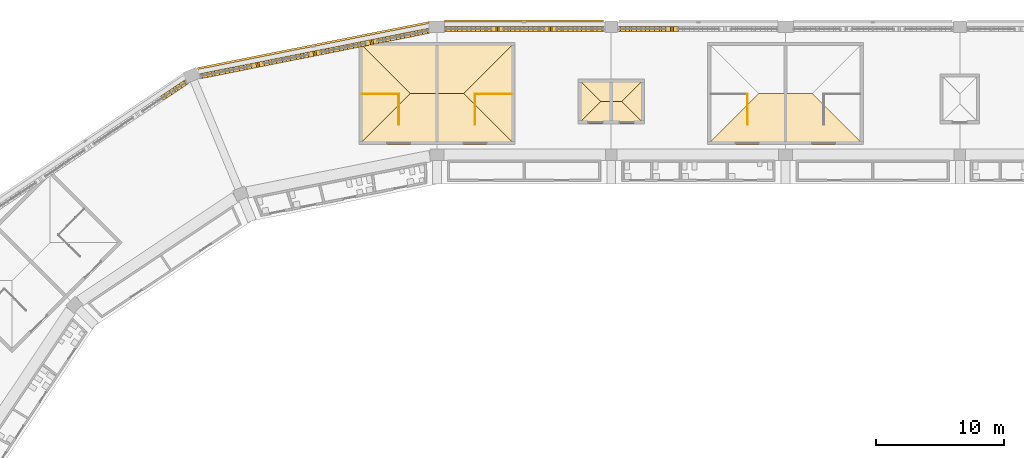
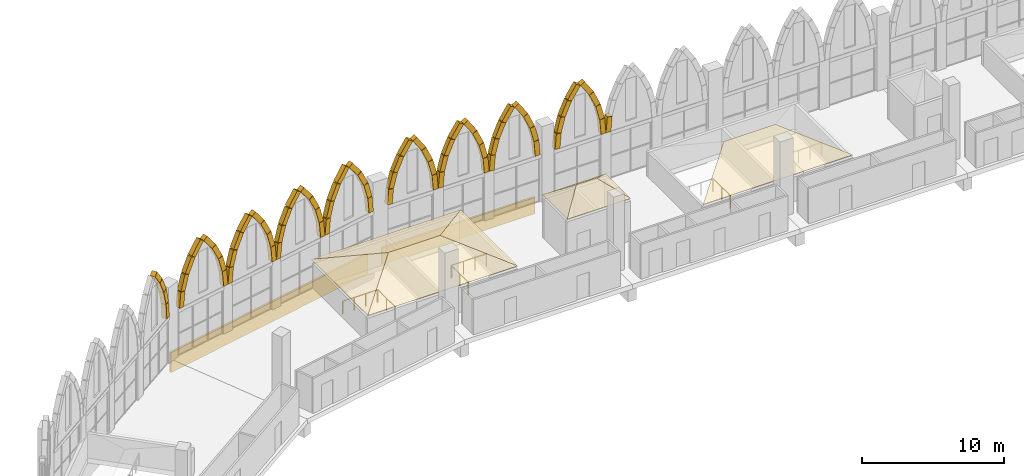
# One storey, part 117 of 130: 80 coverings, 5 railings.
"""IFC4 building model written with IfcOpenShell, lengths in metres."""

from ifc_helpers import new_model, si_unit, direction, frame, origin, origin_2d, place, context, subcontext, project, spatial, polyline, rectangle, circle, outline, extrude, material, layer, layer_set, material_profile, profile_set, type_object, element, save


model = new_model("IFC4")

# Units and contexts
model_context = context("Model", 3, precision=1e-05, world=origin(), true_north=direction((0.0, 1.0)))
body_context = subcontext(model_context, "Body", "Model", "MODEL_VIEW")
ifc_project = project(units=[si_unit("LENGTHUNIT", "METRE"), si_unit("AREAUNIT", "SQUARE_METRE"), si_unit("VOLUMEUNIT", "CUBIC_METRE"), si_unit("PLANEANGLEUNIT", "RADIAN"), si_unit("MASSUNIT", "GRAM", prefix="KILO")], contexts=[model_context])

# Site, building, storey
site_placement = place(None, origin())
site = spatial("IfcSite", under=ifc_project, at=site_placement, CompositionType="ELEMENT")
building_placement = place(site_placement, origin())
building = spatial("IfcBuilding", under=site, at=building_placement, Name="Ogive Plaza Stadium", CompositionType="ELEMENT")
storey_placement = place(building_placement, frame((0.0, 0.0, 22.5)))
storey = spatial("IfcBuildingStorey", under=building, at=storey_placement, Name="L05", CompositionType="ELEMENT", Elevation=22.5)

# Railings
ifc_material_1 = material(Name="Steel ASTM A572 Grade 50", Category="steel")
railing_type = type_object("IfcRailingType", Name="Guard 1100", PredefinedType="GUARDRAIL", material=ifc_material_1)
railing_1_placement = place(storey_placement, frame((-31.02490234375, 94.85009765625, 0.0)))
element("IfcRailing", 1, at=railing_1_placement, inside=storey, type_object=railing_type, Name="Stair well guard ST32A L05", PredefinedType="GUARDRAIL", context=body_context, shape_type="SweptSolid", body=[
    extrude(circle(Radius=0.02392578125, at=origin_2d()), frame((0.0, 0.0, 1.076171875), z_axis=(0.0, 1.0, 0.0), x_axis=(-1.0, 0.0, 0.0)), (0.0, 0.0, 1.0), 2.39990234375),
    extrude(circle(Radius=0.02099609375, at=origin_2d()), origin(), (0.0, 0.0, 1.0), 1.052001953125),
    extrude(circle(Radius=0.02099609375, at=origin_2d()), frame((0.0, 1.199951171875, 0.0)), (0.0, 0.0, 1.0), 1.052001953125),
    extrude(circle(Radius=0.02099609375, at=origin_2d()), frame((0.0, 2.39990234375, 0.0)), (0.0, 0.0, 1.0), 1.052001953125),
])
railing_2_placement = place(storey_placement, frame((-28.175048828125, 97.25, 0.0)))
element("IfcRailing", 2, at=railing_2_placement, inside=storey, type_object=railing_type, Name="Stair guard ST32A L05", PredefinedType="GUARDRAIL", context=body_context, shape_type="SweptSolid", body=[
    extrude(circle(Radius=0.02392578125, at=origin_2d()), frame((0.0, 0.0, 1.076171875), z_axis=(-1.0, 0.0, 0.0), x_axis=(0.0, -1.0, 0.0)), (0.0, 0.0, 1.0), 2.800048828125),
    extrude(circle(Radius=0.02099609375, at=origin_2d()), origin(), (0.0, 0.0, 1.0), 1.052001953125),
    extrude(circle(Radius=0.02099609375, at=origin_2d()), frame((-0.933349609375, 0.0, 0.0)), (0.0, 0.0, 1.0), 1.052001953125),
    extrude(circle(Radius=0.02099609375, at=origin_2d()), frame((-1.86669921875, 0.0, 0.0)), (0.0, 0.0, 1.0), 1.052001953125),
    extrude(circle(Radius=0.02099609375, at=origin_2d()), frame((-2.800048828125, 0.0, 0.0)), (0.0, 0.0, 1.0), 1.052001953125),
])
railing_3_placement = place(storey_placement, frame((-36.97509765625, 94.85009765625, 0.0)))
element("IfcRailing", 3, at=railing_3_placement, inside=storey, type_object=railing_type, Name="Stair well guard ST32B L05", PredefinedType="GUARDRAIL", context=body_context, shape_type="SweptSolid", body=[
    extrude(circle(Radius=0.02392578125, at=origin_2d()), frame((0.0, 0.0, 1.076171875), z_axis=(0.0, 1.0, 0.0), x_axis=(-1.0, 0.0, 0.0)), (0.0, 0.0, 1.0), 2.39990234375),
    extrude(circle(Radius=0.02099609375, at=origin_2d()), origin(), (0.0, 0.0, 1.0), 1.052001953125),
    extrude(circle(Radius=0.02099609375, at=origin_2d()), frame((0.0, 1.199951171875, 0.0)), (0.0, 0.0, 1.0), 1.052001953125),
    extrude(circle(Radius=0.02099609375, at=origin_2d()), frame((0.0, 2.39990234375, 0.0)), (0.0, 0.0, 1.0), 1.052001953125),
])
railing_4_placement = place(storey_placement, frame((-37.02490234375, 97.25, 0.0)))
element("IfcRailing", 4, at=railing_4_placement, inside=storey, type_object=railing_type, Name="Stair guard ST32B L05", PredefinedType="GUARDRAIL", context=body_context, shape_type="SweptSolid", body=[
    extrude(circle(Radius=0.02392578125, at=origin_2d()), frame((0.0, 0.0, 1.076171875), z_axis=(-1.0, 0.0, 0.0), x_axis=(0.0, -1.0, 0.0)), (0.0, 0.0, 1.0), 2.800048828125),
    extrude(circle(Radius=0.02099609375, at=origin_2d()), origin(), (0.0, 0.0, 1.0), 1.052001953125),
    extrude(circle(Radius=0.02099609375, at=origin_2d()), frame((-0.933349609375, 0.0, 0.0)), (0.0, 0.0, 1.0), 1.052001953125),
    extrude(circle(Radius=0.02099609375, at=origin_2d()), frame((-1.86669921875, 0.0, 0.0)), (0.0, 0.0, 1.0), 1.052001953125),
    extrude(circle(Radius=0.02099609375, at=origin_2d()), frame((-2.800048828125, 0.0, 0.0)), (0.0, 0.0, 1.0), 1.052001953125),
])
railing_5_placement = place(storey_placement, frame((-9.77490234375, 94.85009765625, 0.0)))
element("IfcRailing", 5, at=railing_5_placement, inside=storey, type_object=railing_type, Name="Stair well guard ST34B L05", PredefinedType="GUARDRAIL", context=body_context, shape_type="SweptSolid", body=[
    extrude(circle(Radius=0.02392578125, at=origin_2d()), frame((0.0, 0.0, 1.076171875), z_axis=(0.0, 1.0, 0.0), x_axis=(-1.0, 0.0, 0.0)), (0.0, 0.0, 1.0), 2.39990234375),
    extrude(circle(Radius=0.02099609375, at=origin_2d()), origin(), (0.0, 0.0, 1.0), 1.052001953125),
    extrude(circle(Radius=0.02099609375, at=origin_2d()), frame((0.0, 1.199951171875, 0.0)), (0.0, 0.0, 1.0), 1.052001953125),
    extrude(circle(Radius=0.02099609375, at=origin_2d()), frame((0.0, 2.39990234375, 0.0)), (0.0, 0.0, 1.0), 1.052001953125),
])

# Coverings
ifc_material_2 = material(Name="Zinc sheet", Category="metal")
ifc_layer_1 = layer(ifc_material_2, 0.030029296875)
ifc_layer_set_1 = layer_set([ifc_layer_1], Name="Overrun roof zinc 30")
covering_type_1 = type_object("IfcCoveringType", Name="Overrun roof zinc 30", PredefinedType="ROOFING", material=ifc_layer_set_1)
covering_1_placement = place(storey_placement, frame((-17.824951171875, 98.39990234375, 3.6240234375), z_axis=(0.0, 0.596338434259, 0.802733126154), x_axis=(-1.0, 0.0, 0.0)))
element("IfcCovering", 6, at=covering_1_placement, inside=storey, type_object=covering_type_1, Name="Lift overrun roof facet LP33 1", PredefinedType="ROOFING", context=body_context, shape_type="SweptSolid", body=[
    extrude(outline(polyline([(0.0, 0.0), (5.150146484375, 0.0), (3.400146484375, 2.180052053394411), (1.75, 2.180052053394411), (0.0, 0.0)])), origin(), (0.0, 0.0, -1.0), 0.030029296875),
])
covering_2_placement = place(storey_placement, frame((-22.97509765625, 98.39990234375, 3.6240234375), z_axis=(-0.596338434259, 0.0, 0.802733126154), x_axis=(0.0, -1.0, 0.0)))
element("IfcCovering", 7, at=covering_2_placement, inside=storey, type_object=covering_type_1, Name="Lift overrun roof facet LP33 2", PredefinedType="ROOFING", context=body_context, shape_type="SweptSolid", body=[
    extrude(outline(polyline([(0.0, 0.0), (3.5, 0.0), (1.75, 2.1800520533944105), (0.0, 0.0)])), origin(), (0.0, 0.0, -1.0), 0.030029296875),
])
covering_3_placement = place(storey_placement, frame((-22.97509765625, 94.89990234375, 3.6240234375), z_axis=(0.0, -0.596338434259, 0.802733126154), x_axis=(1.0, 0.0, 0.0)))
element("IfcCovering", 8, at=covering_3_placement, inside=storey, type_object=covering_type_1, Name="Lift overrun roof facet LP33 3", PredefinedType="ROOFING", context=body_context, shape_type="SweptSolid", body=[
    extrude(outline(polyline([(0.0, 0.0), (5.150146484375, 0.0), (3.400146484375, 2.180052053394411), (1.75, 2.180052053394411), (0.0, 0.0)])), origin(), (0.0, 0.0, -1.0), 0.030029296875),
])
covering_4_placement = place(storey_placement, frame((-17.824951171875, 94.89990234375, 3.6240234375), z_axis=(0.596338434259, 0.0, 0.802733126154), x_axis=(0.0, 1.0, 0.0)))
element("IfcCovering", 9, at=covering_4_placement, inside=storey, type_object=covering_type_1, Name="Lift overrun roof facet LP33 4", PredefinedType="ROOFING", context=body_context, shape_type="SweptSolid", body=[
    extrude(outline(polyline([(0.0, 0.0), (3.5, 0.0), (1.75, 2.1800520533944105), (0.0, 0.0)])), origin(), (0.0, 0.0, -1.0), 0.030029296875),
])
ifc_material_3 = material(Name="Cast stone (reconstituted limestone)", Category="masonry")
ifc_material_profile = material_profile(ifc_material_3, rectangle(XDim=0.39990234375, YDim=0.39990234375, at=origin_2d()), Name="Cast stone 400x400")
ifc_profile_set = profile_set([ifc_material_profile], Name="Cast stone (reconstituted limestone)")
covering_type_2 = type_object("IfcCoveringType", Name="Precast arch rib 400x400", PredefinedType="MOLDING", material=ifc_profile_set)
for number, where, z_axis, x_axis, name in (
    (10, (-55.31787109375, 96.994384765625, 9.021484375), (0.504943643404, 0.337370569381, -0.794489154049), (-0.555545202762, 0.831486336441, 0.0), "ARCH RIB B30 4.5"),
    (11, (-54.63623046875, 97.44970703125, 7.943603515625), (0.37369155562, 0.249869155246, -0.893263693718), (-0.55584155334, 0.831288257815, 0.0), "ARCH RIB B30 4.6"),
    (12, (-54.132568359375, 97.786376953125, 6.732421875), (0.229492340681, 0.15330384955, -0.961161378376), (-0.555474964851, 0.831533260563, 0.0), "ARCH RIB B30 4.7"),
):
    element("IfcCovering", number, at=place(storey_placement, frame(where, z_axis=z_axis, x_axis=x_axis)), inside=storey, type_object=covering_type_2, Name=name, PredefinedType="MOLDING", context=body_context, shape_type="SweptSolid", body=[
        extrude(rectangle(XDim=0.39990234375, YDim=0.39990234375, at=origin_2d()), origin(), (0.0, 0.0, 1.0), 1.317138671875),
    ])
covering_5_placement = place(storey_placement, frame((-53.824462890625, 97.9921875, 5.429931640625), z_axis=(0.0774868935, 0.051719720781, -0.995650968873), x_axis=(-0.555159300588, 0.831744041741, 0.0)))
element("IfcCovering", 13, at=covering_5_placement, inside=storey, type_object=covering_type_2, Name="ARCH RIB B30 4.8", PredefinedType="MOLDING", context=body_context, shape_type="SweptSolid", body=[
    extrude(rectangle(XDim=0.39990234375, YDim=0.39990234375, at=origin_2d()), origin(), (0.0, 0.0, 1.0), 1.31689453125),
])
covering_6_placement = place(storey_placement, frame((-52.22021484375, 98.671875, 4.118408203125), z_axis=(0.090922604132, 0.017998964492, 0.995695293418), x_axis=(-0.194190789078, 0.98096377988, 0.0)))
element("IfcCovering", 14, at=covering_6_placement, inside=storey, type_object=covering_type_2, Name="ARCH RIB B31 1.1", PredefinedType="MOLDING", context=body_context, shape_type="SweptSolid", body=[
    extrude(rectangle(XDim=0.39990234375, YDim=0.39990234375, at=origin_2d()), origin(), (0.0, 0.0, 1.0), 1.315673828125),
])
covering_7_placement = place(storey_placement, frame((-52.093994140625, 98.697021484375, 5.46484375), z_axis=(0.269299546271, 0.053451598433, 0.961571984307), x_axis=(-0.194685941721, 0.98086562999, 0.0)))
element("IfcCovering", 15, at=covering_7_placement, inside=storey, type_object=covering_type_2, Name="ARCH RIB B31 1.2", PredefinedType="MOLDING", context=body_context, shape_type="SweptSolid", body=[
    extrude(rectangle(XDim=0.39990234375, YDim=0.39990234375, at=origin_2d()), origin(), (0.0, 0.0, 1.0), 1.3154296875),
])
covering_8_placement = place(storey_placement, frame((-51.726806640625, 98.77001953125, 6.764404296875), z_axis=(0.438517907749, 0.087221081948, 0.894480031888), x_axis=(-0.195078374406, 0.980787656855, 0.0)))
element("IfcCovering", 16, at=covering_8_placement, inside=storey, type_object=covering_type_2, Name="ARCH RIB B31 1.3", PredefinedType="MOLDING", context=body_context, shape_type="SweptSolid", body=[
    extrude(rectangle(XDim=0.39990234375, YDim=0.39990234375, at=origin_2d()), origin(), (0.0, 0.0, 1.0), 1.315673828125),
])
for number, where, z_axis, x_axis, name in (
    (17, (-51.130859375, 98.888671875, 7.97265625), (0.592756282244, 0.117846036075, 0.796713437593), (-0.194993994068, 0.980804436306, 0.0), "ARCH RIB B31 1.4"),
    (18, (-50.03857421875, 99.105712890625, 9.020751953125), (0.592622911172, 0.118042020515, -0.796783638478), (-0.195348196874, 0.98073395066, 0.0), "ARCH RIB B31 1.5"),
    (19, (-49.23974609375, 99.2646484375, 7.941162109375), (0.438367998716, 0.087228179253, -0.894552817024), (-0.1951578198, 0.980771851845, 0.0), "ARCH RIB B31 1.6"),
    (20, (-48.64990234375, 99.382080078125, 6.729736328125), (0.269299546271, 0.053451598433, -0.961571984307), (-0.194685941721, 0.98086562999, 0.0), "ARCH RIB B31 1.7"),
):
    element("IfcCovering", number, at=place(storey_placement, frame(where, z_axis=z_axis, x_axis=x_axis)), inside=storey, type_object=covering_type_2, Name=name, PredefinedType="MOLDING", context=body_context, shape_type="SweptSolid", body=[
        extrude(rectangle(XDim=0.39990234375, YDim=0.39990234375, at=origin_2d()), origin(), (0.0, 0.0, 1.0), 1.3154296875),
    ])
for number, where, z_axis, x_axis, name in (
    (21, (-48.2890625, 99.453857421875, 5.428466796875), (0.090738577123, 0.017999267855, -0.99571207534), (-0.194572887676, 0.980888062615, 0.0), "ARCH RIB B31 1.8"),
    (22, (-47.775634765625, 99.555908203125, 4.118408203125), (0.090738577123, 0.017999267855, 0.99571207534), (-0.194572887676, 0.980888062615, 0.0), "ARCH RIB B31 2.1"),
):
    element("IfcCovering", number, at=place(storey_placement, frame(where, z_axis=z_axis, x_axis=x_axis)), inside=storey, type_object=covering_type_2, Name=name, PredefinedType="MOLDING", context=body_context, shape_type="SweptSolid", body=[
        extrude(rectangle(XDim=0.39990234375, YDim=0.39990234375, at=origin_2d()), origin(), (0.0, 0.0, 1.0), 1.315673828125),
    ])
covering_9_placement = place(storey_placement, frame((-47.6494140625, 99.5810546875, 5.46484375), z_axis=(0.269127397366, 0.05345426927, 0.961620031553), x_axis=(-0.194815113783, 0.980839982587, 0.0)))
element("IfcCovering", 23, at=covering_9_placement, inside=storey, type_object=covering_type_2, Name="ARCH RIB B31 2.2", PredefinedType="MOLDING", context=body_context, shape_type="SweptSolid", body=[
    extrude(rectangle(XDim=0.39990234375, YDim=0.39990234375, at=origin_2d()), origin(), (0.0, 0.0, 1.0), 1.3154296875),
])
covering_10_placement = place(storey_placement, frame((-47.2822265625, 99.654052734375, 6.764404296875), z_axis=(0.438517907749, 0.087221081948, 0.894480031888), x_axis=(-0.195078374406, 0.980787656855, 0.0)))
element("IfcCovering", 24, at=covering_10_placement, inside=storey, type_object=covering_type_2, Name="ARCH RIB B31 2.3", PredefinedType="MOLDING", context=body_context, shape_type="SweptSolid", body=[
    extrude(rectangle(XDim=0.39990234375, YDim=0.39990234375, at=origin_2d()), origin(), (0.0, 0.0, 1.0), 1.315673828125),
])
for number, where, z_axis, x_axis, name in (
    (25, (-46.686279296875, 99.772705078125, 7.97265625), (0.592635884975, 0.117858999987, 0.796801081803), (-0.195052740217, 0.980792755139, 0.0), "ARCH RIB B31 2.4"),
    (26, (-45.593994140625, 99.989990234375, 9.020751953125), (0.592635884975, 0.117858999987, -0.796801081803), (-0.195052740217, 0.980792755139, 0.0), "ARCH RIB B31 2.5"),
    (27, (-44.795166015625, 100.148681640625, 7.941162109375), (0.438367998716, 0.087228179253, -0.894552817024), (-0.1951578198, 0.980771851845, 0.0), "ARCH RIB B31 2.6"),
    (28, (-44.205322265625, 100.26611328125, 6.729736328125), (0.269296870115, 0.053636661243, -0.961562428715), (-0.195336184167, 0.980736343344, 0.0), "ARCH RIB B31 2.7"),
):
    element("IfcCovering", number, at=place(storey_placement, frame(where, z_axis=z_axis, x_axis=x_axis)), inside=storey, type_object=covering_type_2, Name=name, PredefinedType="MOLDING", context=body_context, shape_type="SweptSolid", body=[
        extrude(rectangle(XDim=0.39990234375, YDim=0.39990234375, at=origin_2d()), origin(), (0.0, 0.0, 1.0), 1.3154296875),
    ])
for number, where, z_axis, x_axis, name in (
    (29, (-43.844482421875, 100.337890625, 5.428466796875), (0.090738577123, 0.017999267855, -0.99571207534), (-0.194572887676, 0.980888062615, 0.0), "ARCH RIB B31 2.8"),
    (30, (-43.3310546875, 100.43994140625, 4.118408203125), (0.090738272501, 0.018184766268, 0.995708732602), (-0.196501719896, 0.980503479891, 0.0), "ARCH RIB B31 3.1"),
):
    element("IfcCovering", number, at=place(storey_placement, frame(where, z_axis=z_axis, x_axis=x_axis)), inside=storey, type_object=covering_type_2, Name=name, PredefinedType="MOLDING", context=body_context, shape_type="SweptSolid", body=[
        extrude(rectangle(XDim=0.39990234375, YDim=0.39990234375, at=origin_2d()), origin(), (0.0, 0.0, 1.0), 1.315673828125),
    ])
for number, where, z_axis, x_axis, name in (
    (31, (-43.205078125, 100.465087890625, 5.46484375), (0.269296870115, 0.053636661243, 0.961562428715), (-0.195336184167, 0.980736343344, 0.0), "ARCH RIB B31 3.2"),
    (32, (-42.837646484375, 100.5380859375, 6.764404296875), (0.438367998716, 0.087228179253, 0.894552817024), (-0.1951578198, 0.980771851845, 0.0), "ARCH RIB B31 3.3"),
    (33, (-42.24169921875, 100.65673828125, 7.97265625), (0.592635884975, 0.117858999987, 0.796801081803), (-0.195052740217, 0.980792755139, 0.0), "ARCH RIB B31 3.4"),
    (34, (-41.1494140625, 100.8740234375, 9.020751953125), (0.592635884975, 0.117858999987, -0.796801081803), (-0.195052740217, 0.980792755139, 0.0), "ARCH RIB B31 3.5"),
):
    element("IfcCovering", number, at=place(storey_placement, frame(where, z_axis=z_axis, x_axis=x_axis)), inside=storey, type_object=covering_type_2, Name=name, PredefinedType="MOLDING", context=body_context, shape_type="SweptSolid", body=[
        extrude(rectangle(XDim=0.39990234375, YDim=0.39990234375, at=origin_2d()), origin(), (0.0, 0.0, 1.0), 1.3154296875),
    ])
covering_11_placement = place(storey_placement, frame((-40.350830078125, 101.032958984375, 7.941162109375), z_axis=(0.438524998312, 0.087036912488, -0.894494495075), x_axis=(-0.194679060931, 0.980866995691, 0.0)))
element("IfcCovering", 35, at=covering_11_placement, inside=storey, type_object=covering_type_2, Name="ARCH RIB B31 3.6", PredefinedType="MOLDING", context=body_context, shape_type="SweptSolid", body=[
    extrude(rectangle(XDim=0.39990234375, YDim=0.39990234375, at=origin_2d()), origin(), (0.0, 0.0, 1.0), 1.315673828125),
])
covering_12_placement = place(storey_placement, frame((-39.7607421875, 101.150146484375, 6.729736328125), z_axis=(0.269124722653, 0.053639341274, -0.961610474529), x_axis=(-0.19546575346, 0.980710527742, 0.0)))
element("IfcCovering", 36, at=covering_12_placement, inside=storey, type_object=covering_type_2, Name="ARCH RIB B31 3.7", PredefinedType="MOLDING", context=body_context, shape_type="SweptSolid", body=[
    extrude(rectangle(XDim=0.39990234375, YDim=0.39990234375, at=origin_2d()), origin(), (0.0, 0.0, 1.0), 1.3154296875),
])
for number, where, z_axis, x_axis, name in (
    (37, (-39.39990234375, 101.221923828125, 5.428466796875), (0.090738577123, 0.017999267855, -0.99571207534), (-0.194572887676, 0.980888062615, 0.0), "ARCH RIB B31 3.8"),
    (38, (-38.886474609375, 101.323974609375, 4.118408203125), (0.090738272501, 0.018184766268, 0.995708732602), (-0.196501719896, 0.980503479891, 0.0), "ARCH RIB B31 4.1"),
):
    element("IfcCovering", number, at=place(storey_placement, frame(where, z_axis=z_axis, x_axis=x_axis)), inside=storey, type_object=covering_type_2, Name=name, PredefinedType="MOLDING", context=body_context, shape_type="SweptSolid", body=[
        extrude(rectangle(XDim=0.39990234375, YDim=0.39990234375, at=origin_2d()), origin(), (0.0, 0.0, 1.0), 1.315673828125),
    ])
for number, where, z_axis, x_axis, name in (
    (39, (-38.760498046875, 101.34912109375, 5.46484375), (0.269296870115, 0.053636661243, 0.961562428715), (-0.195336184167, 0.980736343344, 0.0), "ARCH RIB B31 4.2"),
    (40, (-38.39306640625, 101.422119140625, 6.764404296875), (0.438367998716, 0.087228179253, 0.894552817024), (-0.1951578198, 0.980771851845, 0.0), "ARCH RIB B31 4.3"),
    (41, (-37.797119140625, 101.540771484375, 7.97265625), (0.592635884975, 0.117858999987, 0.796801081803), (-0.195052740217, 0.980792755139, 0.0), "ARCH RIB B31 4.4"),
    (42, (-36.705078125, 101.758056640625, 9.020751953125), (0.592756282244, 0.117846036075, -0.796713437593), (-0.194993994068, 0.980804436306, 0.0), "ARCH RIB B31 4.5"),
):
    element("IfcCovering", number, at=place(storey_placement, frame(where, z_axis=z_axis, x_axis=x_axis)), inside=storey, type_object=covering_type_2, Name=name, PredefinedType="MOLDING", context=body_context, shape_type="SweptSolid", body=[
        extrude(rectangle(XDim=0.39990234375, YDim=0.39990234375, at=origin_2d()), origin(), (0.0, 0.0, 1.0), 1.3154296875),
    ])
covering_13_placement = place(storey_placement, frame((-35.90625, 101.9169921875, 7.941162109375), z_axis=(0.438517907749, 0.087221081948, -0.894480031888), x_axis=(-0.195078374406, 0.980787656855, 0.0)))
element("IfcCovering", 43, at=covering_13_placement, inside=storey, type_object=covering_type_2, Name="ARCH RIB B31 4.6", PredefinedType="MOLDING", context=body_context, shape_type="SweptSolid", body=[
    extrude(rectangle(XDim=0.39990234375, YDim=0.39990234375, at=origin_2d()), origin(), (0.0, 0.0, 1.0), 1.315673828125),
])
covering_14_placement = place(storey_placement, frame((-35.316162109375, 102.0341796875, 6.729736328125), z_axis=(0.269124722653, 0.053639341274, -0.961610474529), x_axis=(-0.19546575346, 0.980710527742, 0.0)))
element("IfcCovering", 44, at=covering_14_placement, inside=storey, type_object=covering_type_2, Name="ARCH RIB B31 4.7", PredefinedType="MOLDING", context=body_context, shape_type="SweptSolid", body=[
    extrude(rectangle(XDim=0.39990234375, YDim=0.39990234375, at=origin_2d()), origin(), (0.0, 0.0, 1.0), 1.3154296875),
])
covering_15_placement = place(storey_placement, frame((-34.955322265625, 102.10595703125, 5.428466796875), z_axis=(0.090738272501, 0.018184766268, -0.995708732602), x_axis=(-0.196501719896, 0.980503479891, 0.0)))
element("IfcCovering", 45, at=covering_15_placement, inside=storey, type_object=covering_type_2, Name="ARCH RIB B31 4.8", PredefinedType="MOLDING", context=body_context, shape_type="SweptSolid", body=[
    extrude(rectangle(XDim=0.39990234375, YDim=0.39990234375, at=origin_2d()), origin(), (0.0, 0.0, 1.0), 1.315673828125),
])
covering_16_placement = place(storey_placement, frame((-33.19921875, 102.300048828125, 4.11669921875), z_axis=(0.083467432906, 0.0, 0.996510505536), x_axis=(0.0, 1.0, 0.0)))
element("IfcCovering", 46, at=covering_16_placement, inside=storey, type_object=covering_type_2, Name="ARCH RIB B32 1.1", PredefinedType="MOLDING", context=body_context, shape_type="SweptSolid", body=[
    extrude(rectangle(XDim=0.39990234375, YDim=0.39990234375, at=origin_2d()), origin(), (0.0, 0.0, 1.0), 1.292724609375),
])
for number, where, z_axis, x_axis, name in (
    (47, (-33.0859375, 102.300048828125, 5.437744140625), (0.248130007434, 0.0, 0.968726741352), (0.0, 1.0, 0.0), "ARCH RIB B32 1.2"),
    (48, (-32.75439453125, 102.300048828125, 6.7216796875), (0.405805545127, 0.0, 0.913959440864), (0.0, 1.0, 0.0), "ARCH RIB B32 1.3"),
):
    element("IfcCovering", number, at=place(storey_placement, frame(where, z_axis=z_axis, x_axis=x_axis)), inside=storey, type_object=covering_type_2, Name=name, PredefinedType="MOLDING", context=body_context, shape_type="SweptSolid", body=[
        extrude(rectangle(XDim=0.39990234375, YDim=0.39990234375, at=origin_2d()), origin(), (0.0, 0.0, 1.0), 1.29296875),
    ])
for number, where, z_axis, x_axis, name in (
    (49, (-32.2138671875, 102.300048828125, 7.9326171875), (0.55217007731, 0.0, 0.833731494981), (0.0, 1.0, 0.0), "ARCH RIB B32 1.4"),
    (50, (-31.16650390625, 102.300048828125, 9.010498046875), (0.552038792089, 0.0, -0.833818428694), (0.0, 1.0, 0.0), "ARCH RIB B32 1.5"),
    (51, (-30.436767578125, 102.300048828125, 7.9033203125), (0.405647789331, 0.0, -0.914029469443), (0.0, 1.0, 0.0), "ARCH RIB B32 1.6"),
    (52, (-29.9013671875, 102.300048828125, 6.690185546875), (0.247952785685, 0.0, -0.96877211772), (0.0, 1.0, 0.0), "ARCH RIB B32 1.7"),
    (53, (-29.5751953125, 102.300048828125, 5.405029296875), (0.083467432906, 0.0, -0.996510505536), (0.0, 1.0, 0.0), "ARCH RIB B32 1.8"),
    (54, (-29.06591796875, 102.300048828125, 4.11669921875), (0.083467432906, 0.0, 0.996510505536), (0.0, 1.0, 0.0), "ARCH RIB B32 2.1"),
):
    element("IfcCovering", number, at=place(storey_placement, frame(where, z_axis=z_axis, x_axis=x_axis)), inside=storey, type_object=covering_type_2, Name=name, PredefinedType="MOLDING", context=body_context, shape_type="SweptSolid", body=[
        extrude(rectangle(XDim=0.39990234375, YDim=0.39990234375, at=origin_2d()), origin(), (0.0, 0.0, 1.0), 1.292724609375),
    ])
covering_17_placement = place(storey_placement, frame((-28.95263671875, 102.300048828125, 5.437744140625), z_axis=(0.248130007434, 0.0, 0.968726741352), x_axis=(0.0, 1.0, 0.0)))
element("IfcCovering", 55, at=covering_17_placement, inside=storey, type_object=covering_type_2, Name="ARCH RIB B32 2.2", PredefinedType="MOLDING", context=body_context, shape_type="SweptSolid", body=[
    extrude(rectangle(XDim=0.39990234375, YDim=0.39990234375, at=origin_2d()), origin(), (0.0, 0.0, 1.0), 1.29296875),
])
for number, where, z_axis, x_axis, name in (
    (56, (-28.620849609375, 102.300048828125, 6.7216796875), (0.405647789331, 0.0, 0.914029469443), (0.0, 1.0, 0.0), "ARCH RIB B32 2.3"),
    (57, (-28.080322265625, 102.300048828125, 7.9326171875), (0.552038792089, 0.0, 0.833818428694), (0.0, 1.0, 0.0), "ARCH RIB B32 2.4"),
    (58, (-27.033203125, 102.300048828125, 9.010498046875), (0.552038792089, 0.0, -0.833818428694), (0.0, 1.0, 0.0), "ARCH RIB B32 2.5"),
    (59, (-26.303466796875, 102.300048828125, 7.9033203125), (0.405647789331, 0.0, -0.914029469443), (0.0, 1.0, 0.0), "ARCH RIB B32 2.6"),
    (60, (-25.76806640625, 102.300048828125, 6.690185546875), (0.247952785685, 0.0, -0.96877211772), (0.0, 1.0, 0.0), "ARCH RIB B32 2.7"),
    (61, (-25.44189453125, 102.300048828125, 5.405029296875), (0.083467432906, 0.0, -0.996510505536), (0.0, 1.0, 0.0), "ARCH RIB B32 2.8"),
    (62, (-24.9326171875, 102.300048828125, 4.11669921875), (0.083467432906, 0.0, 0.996510505536), (0.0, 1.0, 0.0), "ARCH RIB B32 3.1"),
    (63, (-24.819091796875, 102.300048828125, 5.437744140625), (0.247952785685, 0.0, 0.96877211772), (0.0, 1.0, 0.0), "ARCH RIB B32 3.2"),
    (64, (-24.487548828125, 102.300048828125, 6.7216796875), (0.405647789331, 0.0, 0.914029469443), (0.0, 1.0, 0.0), "ARCH RIB B32 3.3"),
    (65, (-23.947021484375, 102.300048828125, 7.9326171875), (0.552038792089, 0.0, 0.833818428694), (0.0, 1.0, 0.0), "ARCH RIB B32 3.4"),
    (66, (-22.89990234375, 102.300048828125, 9.010498046875), (0.552038792089, 0.0, -0.833818428694), (0.0, 1.0, 0.0), "ARCH RIB B32 3.5"),
    (67, (-22.170166015625, 102.300048828125, 7.9033203125), (0.405647789331, 0.0, -0.914029469443), (0.0, 1.0, 0.0), "ARCH RIB B32 3.6"),
    (68, (-21.634765625, 102.300048828125, 6.690185546875), (0.247952785685, 0.0, -0.96877211772), (0.0, 1.0, 0.0), "ARCH RIB B32 3.7"),
    (69, (-21.30859375, 102.300048828125, 5.405029296875), (0.083467432906, 0.0, -0.996510505536), (0.0, 1.0, 0.0), "ARCH RIB B32 3.8"),
    (70, (-19.599365234375, 102.300048828125, 4.11669921875), (0.083467432906, 0.0, 0.996510505536), (0.0, 1.0, 0.0), "ARCH RIB B33 1.1"),
    (71, (-19.48583984375, 102.300048828125, 5.437744140625), (0.247952785685, 0.0, 0.96877211772), (0.0, 1.0, 0.0), "ARCH RIB B33 1.2"),
    (72, (-19.154296875, 102.300048828125, 6.7216796875), (0.405647789331, 0.0, 0.914029469443), (0.0, 1.0, 0.0), "ARCH RIB B33 1.3"),
    (73, (-18.61376953125, 102.300048828125, 7.9326171875), (0.552038792089, 0.0, 0.833818428694), (0.0, 1.0, 0.0), "ARCH RIB B33 1.4"),
    (74, (-17.566650390625, 102.300048828125, 9.010498046875), (0.55217007731, 0.0, -0.833731494981), (0.0, 1.0, 0.0), "ARCH RIB B33 1.5"),
    (75, (-16.8369140625, 102.300048828125, 7.9033203125), (0.405647789331, 0.0, -0.914029469443), (0.0, 1.0, 0.0), "ARCH RIB B33 1.6"),
):
    element("IfcCovering", number, at=place(storey_placement, frame(where, z_axis=z_axis, x_axis=x_axis)), inside=storey, type_object=covering_type_2, Name=name, PredefinedType="MOLDING", context=body_context, shape_type="SweptSolid", body=[
        extrude(rectangle(XDim=0.39990234375, YDim=0.39990234375, at=origin_2d()), origin(), (0.0, 0.0, 1.0), 1.292724609375),
    ])
covering_18_placement = place(storey_placement, frame((-16.301513671875, 102.300048828125, 6.690185546875), z_axis=(0.248130007434, 0.0, -0.968726741352), x_axis=(0.0, 1.0, 0.0)))
element("IfcCovering", 76, at=covering_18_placement, inside=storey, type_object=covering_type_2, Name="ARCH RIB B33 1.7", PredefinedType="MOLDING", context=body_context, shape_type="SweptSolid", body=[
    extrude(rectangle(XDim=0.39990234375, YDim=0.39990234375, at=origin_2d()), origin(), (0.0, 0.0, 1.0), 1.29296875),
])
for number, where, z_axis, x_axis, name in (
    (77, (-15.975341796875, 102.300048828125, 5.405029296875), (0.083467432906, 0.0, -0.996510505536), (0.0, 1.0, 0.0), "ARCH RIB B33 1.8"),
    (78, (-15.466064453125, 102.300048828125, 4.11669921875), (0.083467432906, 0.0, 0.996510505536), (0.0, 1.0, 0.0), "ARCH RIB B33 2.1"),
):
    element("IfcCovering", number, at=place(storey_placement, frame(where, z_axis=z_axis, x_axis=x_axis)), inside=storey, type_object=covering_type_2, Name=name, PredefinedType="MOLDING", context=body_context, shape_type="SweptSolid", body=[
        extrude(rectangle(XDim=0.39990234375, YDim=0.39990234375, at=origin_2d()), origin(), (0.0, 0.0, 1.0), 1.292724609375),
    ])
ifc_material_4 = material(Name="Cast stone (reconstituted limestone)", Category="masonry")
ifc_layer_2 = layer(ifc_material_4, 0.159912109375)
ifc_layer_set_2 = layer_set([ifc_layer_2], Name="Precast spandrel cladding 160")
covering_type_3 = type_object("IfcCoveringType", Name="Precast spandrel cladding 160", PredefinedType="CLADDING", material=ifc_layer_set_2)
covering_19_placement = place(storey_placement, frame((0.0, 0.0, -1.7099609375)))
element("IfcCovering", 79, at=covering_19_placement, inside=storey, type_object=covering_type_3, Name="SPANDREL CLADDING B31 L05", PredefinedType="CLADDING", context=body_context, shape_type="SweptSolid", body=[
    extrude(outline(polyline([(-52.670654296875, 99.14306640625), (-34.60009765625, 102.737548828125), (-34.631103515625, 102.89453125), (-52.701904296875, 99.300048828125), (-52.670654296875, 99.14306640625)])), origin(), (0.0, 0.0, 1.0), 1.7099609375),
])
covering_20_placement = place(storey_placement, frame((0.0, 0.0, -1.409912109375)))
element("IfcCovering", 80, at=covering_20_placement, inside=storey, type_object=covering_type_3, Name="SPANDREL CLADDING B32 L05", PredefinedType="CLADDING", context=body_context, shape_type="SweptSolid", body=[
    extrude(outline(polyline([(-33.39990234375, 102.85009765625), (-21.0, 102.85009765625), (-21.0, 103.010009765625), (-33.39990234375, 103.010009765625), (-33.39990234375, 102.85009765625)])), origin(), (0.0, 0.0, 1.0), 1.409912109375),
])
ifc_material_5 = material(Name="Zinc standing seam", Category="metal")
ifc_layer_3 = layer(ifc_material_5, 0.0400390625)
ifc_layer_set_3 = layer_set([ifc_layer_3], Name="Turret roof zinc standing seam 40")
covering_type_4 = type_object("IfcCoveringType", Name="Turret roof zinc standing seam 40", PredefinedType="ROOFING", material=ifc_layer_set_3)
covering_21_placement = place(storey_placement, frame((-27.925048828125, 101.260009765625, 2.337158203125), z_axis=(0.0, 0.372970046205, 0.927843383677), x_axis=(-1.0, 0.0, 0.0)))
element("IfcCovering", 81, at=covering_21_placement, inside=storey, type_object=covering_type_4, Name="Stair core roof facet R32 1", PredefinedType="ROOFING", context=body_context, shape_type="SweptSolid", body=[
    extrude(outline(polyline([(0.0, 0.0), (12.14990234375, 0.0), (8.169921875, 4.289495984738666), (3.97998046875, 4.289495984738666), (0.0, 0.0)])), origin(), (0.0, 0.0, -1.0), 0.0400390625),
])
covering_22_placement = place(storey_placement, frame((-40.074951171875, 101.260009765625, 2.337158203125), z_axis=(-0.372970046205, 0.0, 0.927843383677), x_axis=(0.0, -1.0, 0.0)))
element("IfcCovering", 82, at=covering_22_placement, inside=storey, type_object=covering_type_4, Name="Stair core roof facet R32 2", PredefinedType="ROOFING", context=body_context, shape_type="SweptSolid", body=[
    extrude(outline(polyline([(0.0, 0.0), (7.9599609375, 0.0), (3.97998046875, 4.289495984738666), (0.0, 0.0)])), origin(), (0.0, 0.0, -1.0), 0.0400390625),
])
covering_23_placement = place(storey_placement, frame((-40.074951171875, 93.300048828125, 2.337158203125), z_axis=(0.0, -0.372970046205, 0.927843383677), x_axis=(1.0, 0.0, 0.0)))
element("IfcCovering", 83, at=covering_23_placement, inside=storey, type_object=covering_type_4, Name="Stair core roof facet R32 3", PredefinedType="ROOFING", context=body_context, shape_type="SweptSolid", body=[
    extrude(outline(polyline([(0.0, 0.0), (12.14990234375, 0.0), (8.169921875, 4.289495984738666), (3.97998046875, 4.289495984738666), (0.0, 0.0)])), origin(), (0.0, 0.0, -1.0), 0.0400390625),
])
covering_24_placement = place(storey_placement, frame((-27.925048828125, 93.300048828125, 2.337158203125), z_axis=(0.372970046205, 0.0, 0.927843383677), x_axis=(0.0, 1.0, 0.0)))
element("IfcCovering", 84, at=covering_24_placement, inside=storey, type_object=covering_type_4, Name="Stair core roof facet R32 4", PredefinedType="ROOFING", context=body_context, shape_type="SweptSolid", body=[
    extrude(outline(polyline([(0.0, 0.0), (7.9599609375, 0.0), (3.97998046875, 4.289495984738666), (0.0, 0.0)])), origin(), (0.0, 0.0, -1.0), 0.0400390625),
])
covering_25_placement = place(storey_placement, frame((-12.875, 93.300048828125, 2.337158203125), z_axis=(0.0, -0.372970046205, 0.927843383677), x_axis=(1.0, 0.0, 0.0)))
element("IfcCovering", 85, at=covering_25_placement, inside=storey, type_object=covering_type_4, Name="Stair core roof facet R34 3", PredefinedType="ROOFING", context=body_context, shape_type="SweptSolid", body=[
    extrude(outline(polyline([(0.0, 0.0), (12.14990234375, 0.0), (8.169921875, 4.289495984738666), (3.97998046875, 4.289495984738666), (0.0, 0.0)])), origin(), (0.0, 0.0, -1.0), 0.0400390625),
])

save(model, "model.ifc")
